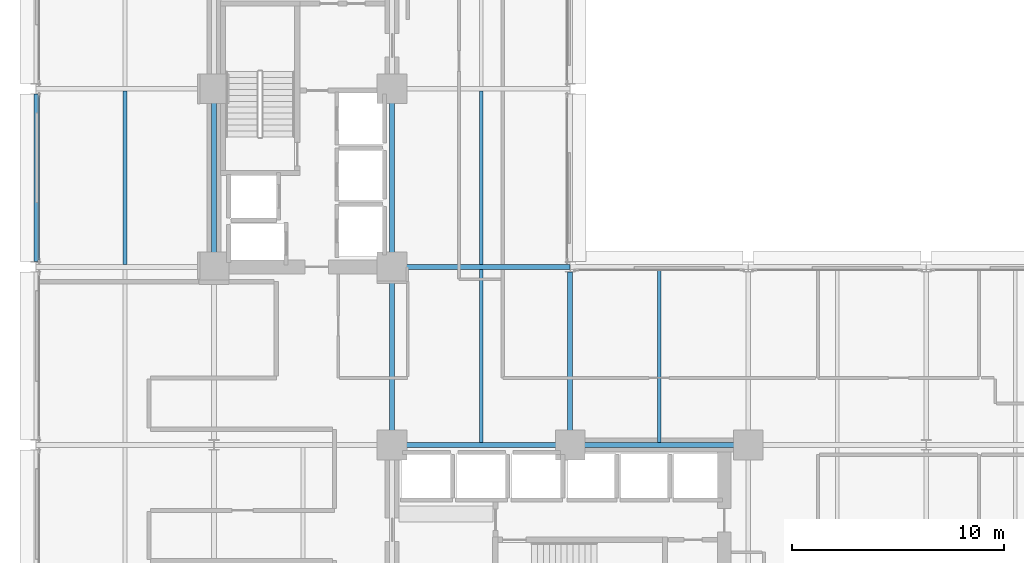
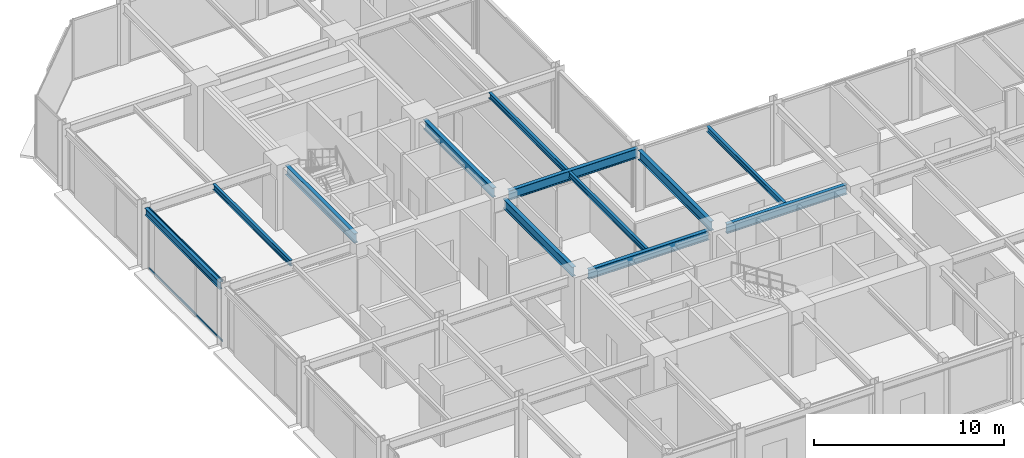
# One storey, part 9 of 27: 12 beams, 2 members, 1 element without a shape of its own.
"""IFC4 building model written with IfcOpenShell, lengths in metres."""

from ifc_helpers import new_model, si_unit, direction, frame, origin, origin_2d, place, context, subcontext, project, spatial, hollow_rectangle, i_section, extrude, material, layer, layer_set, material_profile, profile_set, type_object, element, aggregate, save


model = new_model("IFC4")

# Units and contexts
model_context = context("Model", 3, precision=1e-05, world=origin(), true_north=direction((0.0, 1.0)))
body_context = subcontext(model_context, "Body", "Model", "MODEL_VIEW")
ifc_project = project(units=[si_unit("LENGTHUNIT", "METRE"), si_unit("AREAUNIT", "SQUARE_METRE"), si_unit("VOLUMEUNIT", "CUBIC_METRE"), si_unit("PLANEANGLEUNIT", "RADIAN"), si_unit("MASSUNIT", "GRAM", prefix="KILO")], contexts=[model_context])

# Site, building, storey
site_placement = place(None, origin())
site = spatial("IfcSite", under=ifc_project, at=site_placement, CompositionType="ELEMENT")
building_placement = place(site_placement, origin())
building = spatial("IfcBuilding", under=site, at=building_placement, Name="Nerrivon Quay Data Exchange", CompositionType="ELEMENT")
storey_placement = place(building_placement, frame((0.0, 0.0, 66.800048828125)))
storey = spatial("IfcBuildingStorey", under=building, at=storey_placement, Name="L15", CompositionType="ELEMENT", Elevation=66.800048828125)

# Beams
ifc_material_1 = material(Name="Steel Grade 350", Category="steel")
ifc_material_profile_1 = material_profile(ifc_material_1, i_section(OverallWidth=0.22900390625, OverallDepth=0.612060546875, WebThickness=0.011962890625, FlangeThickness=0.01953125, FilletRadius=0.013916015625, at=origin_2d()), Name="610UB125")
ifc_profile_set_1 = profile_set([ifc_material_profile_1], Name="Steel Grade 350")
beam_type_1 = type_object("IfcBeamType", Name="BM-G1-610UB125", PredefinedType="BEAM", material=ifc_profile_set_1)
beam_1_placement = place(storey_placement, frame((17.340087890625, 16.800048828125, 3.618896484375), z_axis=(1.0, 0.0, 0.0), x_axis=(0.0, 1.0, 0.0)))
element("IfcBeam", 1, at=beam_1_placement, inside=storey, type_object=beam_type_1, Name="L15 EW Girder Y=16.8 (16.8..25.2)", PredefinedType="BEAM", context=body_context, shape_type="SweptSolid", body=[
    extrude(i_section(OverallWidth=0.22900390625, OverallDepth=0.612060546875, WebThickness=0.011962890625, FlangeThickness=0.01953125, FilletRadius=0.013916015625, at=origin_2d()), origin(), (0.0, 0.0, 1.0), 7.31982421875),
])
beam_2_placement = place(storey_placement, frame((25.739990234375, 16.800048828125, 3.618896484375), z_axis=(1.0, 0.0, 0.0), x_axis=(0.0, 1.0, 0.0)))
element("IfcBeam", 2, at=beam_2_placement, inside=storey, type_object=beam_type_1, Name="L15 EW Girder Y=16.8 (25.2..33.6)", PredefinedType="BEAM", context=body_context, shape_type="SweptSolid", body=[
    extrude(i_section(OverallWidth=0.22900390625, OverallDepth=0.612060546875, WebThickness=0.011962890625, FlangeThickness=0.01953125, FilletRadius=0.013916015625, at=origin_2d()), origin(), (0.0, 0.0, 1.0), 7.320068359375),
])
beam_3_placement = place(storey_placement, frame((17.340087890625, 25.199951171875, 3.618896484375), z_axis=(1.0, 0.0, 0.0), x_axis=(0.0, 1.0, 0.0)))
element("IfcBeam", 3, at=beam_3_placement, inside=storey, type_object=beam_type_1, Name="L15 EW Girder Y=25.2 (16.8..25.2)", PredefinedType="BEAM", context=body_context, shape_type="SweptSolid", body=[
    extrude(i_section(OverallWidth=0.22900390625, OverallDepth=0.612060546875, WebThickness=0.011962890625, FlangeThickness=0.01953125, FilletRadius=0.013916015625, at=origin_2d()), origin(), (0.0, 0.0, 1.0), 7.845947265625),
])
ifc_material_profile_2 = material_profile(ifc_material_1, i_section(OverallWidth=0.22802734375, OverallDepth=0.60205078125, WebThickness=0.010498046875, FlangeThickness=0.014892578125, FilletRadius=0.013916015625, at=origin_2d()), Name="610UB101")
ifc_profile_set_2 = profile_set([ifc_material_profile_2], Name="Steel Grade 350")
beam_type_2 = type_object("IfcBeamType", Name="BM-G2-610UB101", PredefinedType="BEAM", material=ifc_profile_set_2)
beam_4_placement = place(storey_placement, frame((8.39990234375, 25.739990234375, 3.6240234375), z_axis=(0.0, 1.0, 0.0), x_axis=(-1.0, 0.0, 0.0)))
element("IfcBeam", 4, at=beam_4_placement, inside=storey, type_object=beam_type_2, Name="L15 NS Girder X=8.4 (25.2..33.6)", PredefinedType="BEAM", context=body_context, shape_type="SweptSolid", body=[
    extrude(i_section(OverallWidth=0.22802734375, OverallDepth=0.60205078125, WebThickness=0.010498046875, FlangeThickness=0.014892578125, FilletRadius=0.013916015625, at=origin_2d()), origin(), (0.0, 0.0, 1.0), 7.320068359375),
])
beam_5_placement = place(storey_placement, frame((16.800048828125, 17.340087890625, 3.6240234375), z_axis=(0.0, 1.0, 0.0), x_axis=(-1.0, 0.0, 0.0)))
element("IfcBeam", 5, at=beam_5_placement, inside=storey, type_object=beam_type_2, Name="L15 NS Girder X=16.8 (16.8..25.2)", PredefinedType="BEAM", context=body_context, shape_type="SweptSolid", body=[
    extrude(i_section(OverallWidth=0.22802734375, OverallDepth=0.60205078125, WebThickness=0.010498046875, FlangeThickness=0.014892578125, FilletRadius=0.013916015625, at=origin_2d()), origin(), (0.0, 0.0, 1.0), 7.31982421875),
])
beam_6_placement = place(storey_placement, frame((16.800048828125, 25.739990234375, 3.6240234375), z_axis=(0.0, 1.0, 0.0), x_axis=(-1.0, 0.0, 0.0)))
element("IfcBeam", 6, at=beam_6_placement, inside=storey, type_object=beam_type_2, Name="L15 NS Girder X=16.8 (25.2..33.6)", PredefinedType="BEAM", context=body_context, shape_type="SweptSolid", body=[
    extrude(i_section(OverallWidth=0.22802734375, OverallDepth=0.60205078125, WebThickness=0.010498046875, FlangeThickness=0.014892578125, FilletRadius=0.013916015625, at=origin_2d()), origin(), (0.0, 0.0, 1.0), 7.320068359375),
])
beam_7_placement = place(storey_placement, frame((25.199951171875, 17.340087890625, 3.6240234375), z_axis=(0.0, 1.0, 0.0), x_axis=(-1.0, 0.0, 0.0)))
element("IfcBeam", 7, at=beam_7_placement, inside=storey, type_object=beam_type_2, Name="L15 NS Girder X=25.2 (16.8..25.2)", PredefinedType="BEAM", context=body_context, shape_type="SweptSolid", body=[
    extrude(i_section(OverallWidth=0.22802734375, OverallDepth=0.60205078125, WebThickness=0.010498046875, FlangeThickness=0.014892578125, FilletRadius=0.013916015625, at=origin_2d()), origin(), (0.0, 0.0, 1.0), 7.60986328125),
])
ifc_material_profile_3 = material_profile(ifc_material_1, i_section(OverallWidth=0.172119140625, OverallDepth=0.35888671875, WebThickness=0.008056640625, FlangeThickness=0.012939453125, FilletRadius=0.011474609375, at=origin_2d()), Name="360UB56.7")
ifc_profile_set_3 = profile_set([ifc_material_profile_3], Name="Steel Grade 350")
beam_type_3 = type_object("IfcBeamType", Name="BM-J3-360UB57", PredefinedType="JOIST", material=ifc_profile_set_3)
beam_8_placement = place(storey_placement, frame((4.199951171875, 25.314453125, 3.745361328125), z_axis=(0.0, 1.0, 0.0), x_axis=(-1.0, 0.0, 0.0)))
element("IfcBeam", 8, at=beam_8_placement, inside=storey, type_object=beam_type_3, Name="L15 Secondary Joist X=4.2 (25.2..33.6)", PredefinedType="JOIST", context=body_context, shape_type="SweptSolid", body=[
    extrude(i_section(OverallWidth=0.172119140625, OverallDepth=0.35888671875, WebThickness=0.008056640625, FlangeThickness=0.012939453125, FilletRadius=0.011474609375, at=origin_2d()), origin(), (0.0, 0.0, 1.0), 8.171142578125),
])
beam_9_placement = place(storey_placement, frame((21.0, 16.91455078125, 3.745361328125), z_axis=(0.0, 1.0, 0.0), x_axis=(-1.0, 0.0, 0.0)))
element("IfcBeam", 9, at=beam_9_placement, inside=storey, type_object=beam_type_3, Name="L15 Secondary Joist X=21.0 (16.8..25.2)", PredefinedType="JOIST", context=body_context, shape_type="SweptSolid", body=[
    extrude(i_section(OverallWidth=0.172119140625, OverallDepth=0.35888671875, WebThickness=0.008056640625, FlangeThickness=0.012939453125, FilletRadius=0.011474609375, at=origin_2d()), origin(), (0.0, 0.0, 1.0), 8.1708984375),
])
beam_10_placement = place(storey_placement, frame((21.0, 25.314453125, 3.745361328125), z_axis=(0.0, 1.0, 0.0), x_axis=(-1.0, 0.0, 0.0)))
element("IfcBeam", 10, at=beam_10_placement, inside=storey, type_object=beam_type_3, Name="L15 Secondary Joist X=21.0 (25.2..33.6)", PredefinedType="JOIST", context=body_context, shape_type="SweptSolid", body=[
    extrude(i_section(OverallWidth=0.172119140625, OverallDepth=0.35888671875, WebThickness=0.008056640625, FlangeThickness=0.012939453125, FilletRadius=0.011474609375, at=origin_2d()), origin(), (0.0, 0.0, 1.0), 8.171142578125),
])
beam_11_placement = place(storey_placement, frame((29.39990234375, 16.91455078125, 3.745361328125), z_axis=(0.0, 1.0, 0.0), x_axis=(-1.0, 0.0, 0.0)))
element("IfcBeam", 11, at=beam_11_placement, inside=storey, type_object=beam_type_3, Name="L15 Secondary Joist X=29.4 (16.8..25.2)", PredefinedType="JOIST", context=body_context, shape_type="SweptSolid", body=[
    extrude(i_section(OverallWidth=0.172119140625, OverallDepth=0.35888671875, WebThickness=0.008056640625, FlangeThickness=0.012939453125, FilletRadius=0.011474609375, at=origin_2d()), origin(), (0.0, 0.0, 1.0), 8.1708984375),
])
ifc_material_profile_4 = material_profile(ifc_material_1, i_section(OverallWidth=0.18994140625, OverallDepth=0.4541015625, WebThickness=0.008544921875, FlangeThickness=0.0126953125, FilletRadius=0.011474609375, at=origin_2d()), Name="460UB67.1")
ifc_profile_set_4 = profile_set([ifc_material_profile_4], Name="Steel Grade 350")
beam_type_4 = type_object("IfcBeamType", Name="BM-SP1-460UB67", PredefinedType="SPANDREL", material=ifc_profile_set_4)
beam_12_placement = place(storey_placement, frame((0.0, 25.449951171875, 3.697998046875), z_axis=(0.0, 1.0, 0.0), x_axis=(-1.0, 0.0, 0.0)))
element("IfcBeam", 12, at=beam_12_placement, inside=storey, type_object=beam_type_4, Name="L15 NS Girder X=0.0 (25.2..33.6)", PredefinedType="SPANDREL", context=body_context, shape_type="SweptSolid", body=[
    extrude(i_section(OverallWidth=0.18994140625, OverallDepth=0.4541015625, WebThickness=0.008544921875, FlangeThickness=0.0126953125, FilletRadius=0.011474609375, at=origin_2d()), origin(), (0.0, 0.0, 1.0), 7.900146484375),
])

# Curtain wall, members
ifc_material_2 = material(Name="Anodised aluminium 6063-T6", Category="aluminium")
ifc_layer = layer(ifc_material_2, 0.219970703125)
ifc_layer_set = layer_set([ifc_layer], Name="Anodised aluminium 6063-T6")
curtain_wall_type = type_object("IfcCurtainWallType", Name="CW-SYS-01", PredefinedType="NOTDEFINED", material=ifc_layer_set)
curtain_wall_placement = place(storey_placement, origin())
curtain_wall = element("IfcCurtainWall", 13, at=curtain_wall_placement, inside=storey, type_object=curtain_wall_type, Name="L15 Unitised Curtain Wall 20", PredefinedType="NOTDEFINED")
ifc_material_profile_5 = material_profile(ifc_material_2, hollow_rectangle(XDim=0.06005859375, YDim=0.1201171875, WallThickness=0.003173828125, at=origin_2d()), Name="ALU-TRAN-120x60")
ifc_profile_set_5 = profile_set([ifc_material_profile_5], Name="Anodised aluminium 6063-T6")
member_type = type_object("IfcMemberType", Name="CWT-120x60", PredefinedType="USERDEFINED", material=ifc_profile_set_5)
member_1_placement = place(storey_placement, frame((0.139892578125, 25.52490234375, 0.032470703125), z_axis=(0.0, 1.0, 0.0), x_axis=(-1.0, 0.0, 0.0)))
member_1 = element("IfcMember", 14, at=member_1_placement, type_object=member_type, Name="CW01 transom 1.1", ObjectType="TRANSOM", PredefinedType="USERDEFINED", context=body_context, shape_type="SweptSolid", body=[
    extrude(hollow_rectangle(XDim=0.06005859375, YDim=0.1201171875, WallThickness=0.003173828125, at=origin_2d()), origin(), (0.0, 0.0, 1.0), 7.75),
])
member_2_placement = place(storey_placement, frame((0.139892578125, 25.52490234375, 3.892333984375), z_axis=(0.0, 1.0, 0.0), x_axis=(-1.0, 0.0, 0.0)))
member_2 = element("IfcMember", 15, at=member_2_placement, type_object=member_type, Name="CW01 transom 1.2", ObjectType="TRANSOM", PredefinedType="USERDEFINED", context=body_context, shape_type="SweptSolid", body=[
    extrude(hollow_rectangle(XDim=0.06005859375, YDim=0.1201171875, WallThickness=0.003173828125, at=origin_2d()), origin(), (0.0, 0.0, 1.0), 7.75),
])
aggregate(curtain_wall, [member_1, member_2])

save(model, "model.ifc")
